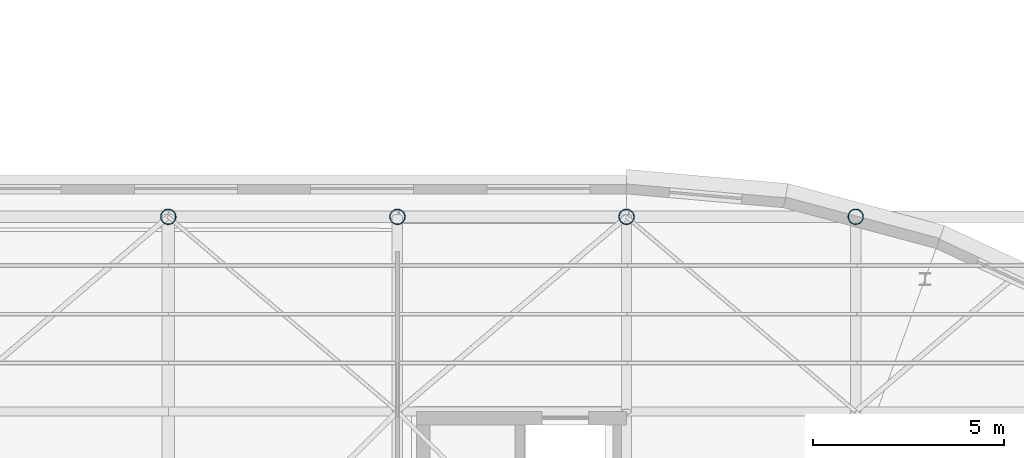
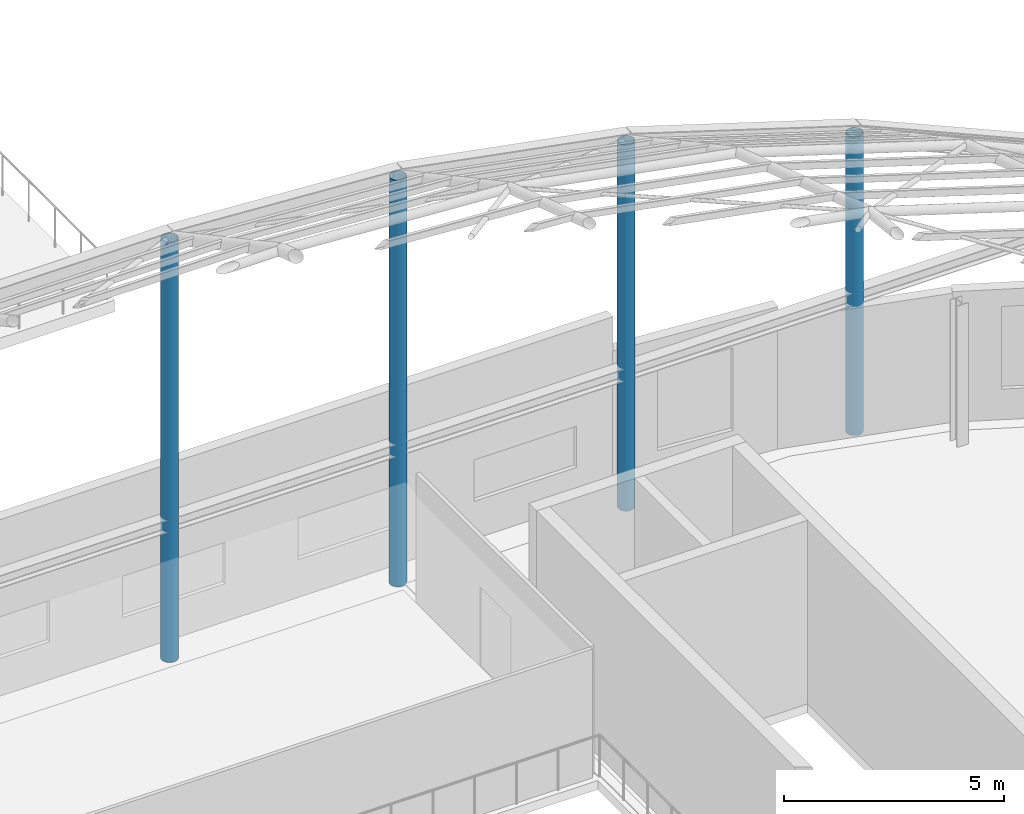
# One storey, part 11 of 75: 4 columns.
"""IFC4 building model written with IfcOpenShell, lengths in metres."""

from ifc_helpers import new_model, si_unit, direction, frame, origin, origin_2d, place, context, subcontext, project, spatial, hollow_circle, extrude, material, material_profile, profile_set, type_object, element, save


model = new_model("IFC4")

# Units and contexts
model_context = context("Model", 3, precision=1e-05, world=origin(), true_north=direction((0.0, 1.0)))
body_context = subcontext(model_context, "Body", "Model", "MODEL_VIEW")
ifc_project = project(units=[si_unit("LENGTHUNIT", "METRE"), si_unit("AREAUNIT", "SQUARE_METRE"), si_unit("VOLUMEUNIT", "CUBIC_METRE"), si_unit("PLANEANGLEUNIT", "RADIAN"), si_unit("MASSUNIT", "GRAM", prefix="KILO")], contexts=[model_context])

# Site, building, storey
site_placement = place(None, origin())
site = spatial("IfcSite", under=ifc_project, at=site_placement, CompositionType="ELEMENT")
building_placement = place(site_placement, origin())
building = spatial("IfcBuilding", under=site, at=building_placement, Name="Kolvaren Corner Interchange", CompositionType="ELEMENT")
storey_placement = place(building_placement, frame((0.0, 0.0, 10.5)))
storey = spatial("IfcBuildingStorey", under=building, at=storey_placement, Name="L03", CompositionType="ELEMENT", Elevation=10.5)

# Columns
ifc_material = material(Name="Steel S355", Category="steel")
ifc_material_profile = material_profile(ifc_material, hollow_circle(Radius=0.203125, WallThickness=0.01611328125, at=origin_2d()), Name="CHS 406.4x16.0")
ifc_profile_set = profile_set([ifc_material_profile], Name="Steel S355")
column_type = type_object("IfcColumnType", Name="COL-CHS406", PredefinedType="COLUMN", material=ifc_profile_set)
column_1_placement = place(storey_placement, frame((108.0, 71.10009765625, 0.0), z_axis=(0.0, 0.0, 1.0), x_axis=(1.0, 0.0, 0.0)))
element("IfcColumn", 1, at=column_1_placement, inside=storey, type_object=column_type, Name="Storey L03 Structural Column 0642", PredefinedType="COLUMN", context=body_context, shape_type="SweptSolid", body=[
    extrude(hollow_circle(Radius=0.203125, WallThickness=0.01611328125, at=origin_2d()), origin(), (0.0, 0.0, 1.0), 11.6650390625),
])
column_2_placement = place(storey_placement, frame((114.0, 71.10009765625, 0.0), z_axis=(0.0, 0.0, 1.0), x_axis=(1.0, 0.0, 0.0)))
element("IfcColumn", 2, at=column_2_placement, inside=storey, type_object=column_type, Name="Storey L03 Structural Column 0662", PredefinedType="COLUMN", context=body_context, shape_type="SweptSolid", body=[
    extrude(hollow_circle(Radius=0.203125, WallThickness=0.01611328125, at=origin_2d()), origin(), (0.0, 0.0, 1.0), 11.2900390625),
])
column_3_placement = place(storey_placement, frame((120.0, 71.10009765625, 0.0), z_axis=(0.0, 0.0, 1.0), x_axis=(1.0, 0.0, 0.0)))
element("IfcColumn", 3, at=column_3_placement, inside=storey, type_object=column_type, Name="Storey L03 Structural Column 0676", PredefinedType="COLUMN", context=body_context, shape_type="SweptSolid", body=[
    extrude(hollow_circle(Radius=0.203125, WallThickness=0.01611328125, at=origin_2d()), origin(), (0.0, 0.0, 1.0), 10.1650390625),
])
column_4_placement = place(storey_placement, frame((126.0, 71.10009765625, 0.0), z_axis=(0.0, 0.0, 1.0), x_axis=(1.0, 0.0, 0.0)))
element("IfcColumn", 4, at=column_4_placement, inside=storey, type_object=column_type, Name="Storey L03 Structural Column 0746", PredefinedType="COLUMN", context=body_context, shape_type="SweptSolid", body=[
    extrude(hollow_circle(Radius=0.203125, WallThickness=0.01611328125, at=origin_2d()), origin(), (0.0, 0.0, 1.0), 8.2900390625),
])

save(model, "model.ifc")
